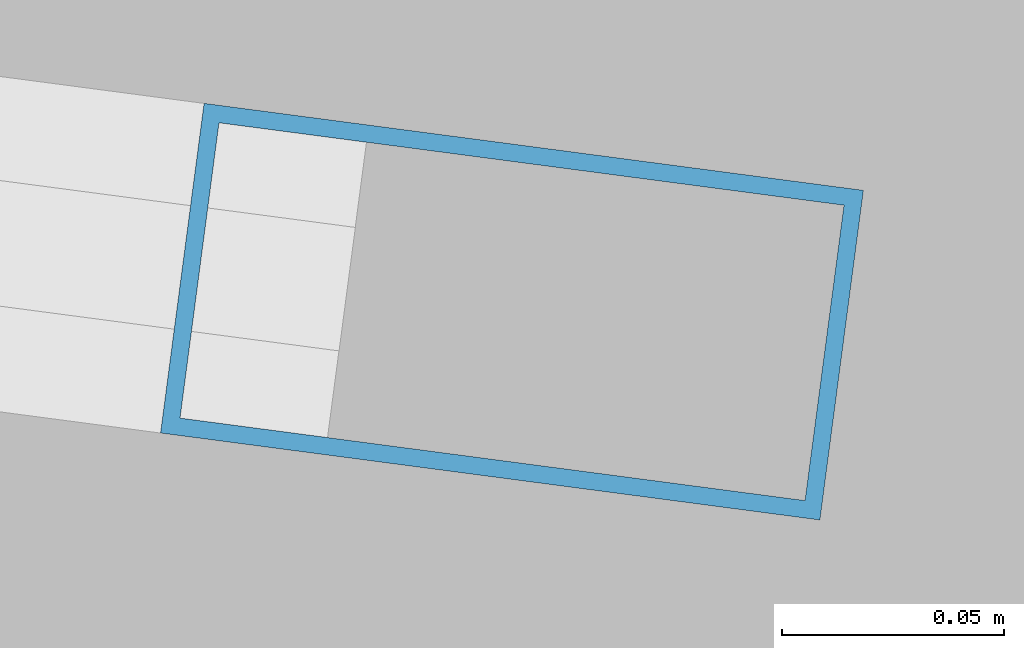
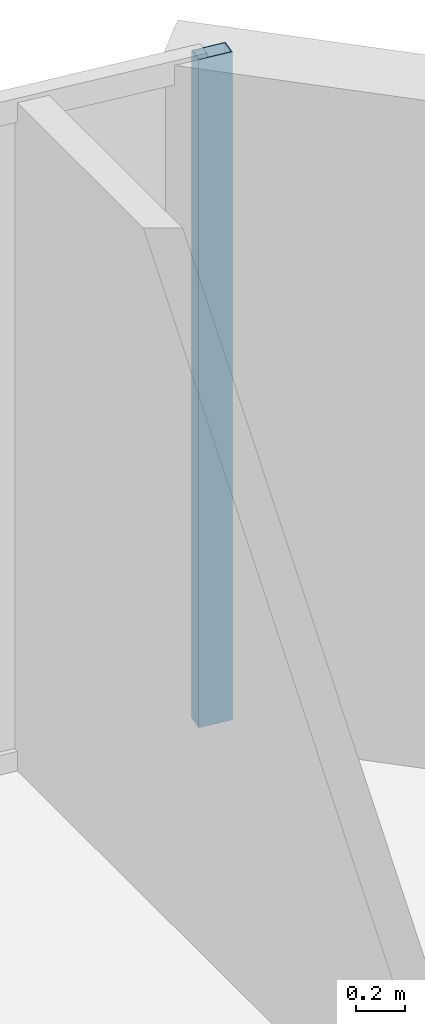
# One storey, part 22 of 30: 1 member, 1 element without a shape of its own.
"""IFC4 building model written with IfcOpenShell, lengths in metres."""

from ifc_helpers import new_model, si_unit, direction, frame, origin, origin_2d, place, context, subcontext, project, spatial, hollow_rectangle, extrude, material, layer, layer_set, material_profile, profile_set, type_object, element, aggregate, save


model = new_model("IFC4")

# Units and contexts
model_context = context("Model", 3, precision=1e-05, world=origin(), true_north=direction((0.0, 1.0)))
body_context = subcontext(model_context, "Body", "Model", "MODEL_VIEW")
ifc_project = project(units=[si_unit("LENGTHUNIT", "METRE"), si_unit("AREAUNIT", "SQUARE_METRE"), si_unit("VOLUMEUNIT", "CUBIC_METRE"), si_unit("PLANEANGLEUNIT", "RADIAN"), si_unit("MASSUNIT", "GRAM", prefix="KILO")], contexts=[model_context])

# Site, building, storey
site_placement = place(None, origin())
site = spatial("IfcSite", under=ifc_project, at=site_placement, CompositionType="ELEMENT")
building_placement = place(site_placement, origin())
building = spatial("IfcBuilding", under=site, at=building_placement, Name="Kazevale Care Tower and Concert Hall", CompositionType="ELEMENT")
storey_placement = place(building_placement, frame((0.0, 0.0, 131.39990234375)))
storey = spatial("IfcBuildingStorey", under=building, at=storey_placement, Name="L34", CompositionType="ELEMENT", Elevation=131.39990234375)

# Curtain wall, member
ifc_material_1 = material(Name="Aluminium 6063-T6 and Low-E Glass", Category="aluminium")
ifc_layer = layer(ifc_material_1, 0.179931640625)
ifc_layer_set = layer_set([ifc_layer], Name="Aluminium 6063-T6 and Low-E Glass")
curtain_wall_type = type_object("IfcCurtainWallType", Name="Convex Recessed Sunroom Curtain Wall CW-3", PredefinedType="NOTDEFINED", material=ifc_layer_set)
curtain_wall_placement = place(storey_placement, origin())
curtain_wall = element("IfcCurtainWall", 1, at=curtain_wall_placement, inside=storey, type_object=curtain_wall_type, Name="cw:L34:f16", PredefinedType="NOTDEFINED")
ifc_material_2 = material(Name="Aluminium 6063-T6", Category="aluminium")
ifc_material_profile = material_profile(ifc_material_2, hollow_rectangle(XDim=0.074951171875, YDim=0.14990234375, WallThickness=0.00390625, at=origin_2d()), Name="ALU75x150x4")
ifc_profile_set = profile_set([ifc_material_profile], Name="Aluminium 6063-T6")
member_type = type_object("IfcMemberType", Name="CW-3 Mullion ALU75x150x4", PredefinedType="MULLION", material=ifc_profile_set)
member_placement = place(storey_placement, frame((61.810791015625, 60.809814453125, 0.0), z_axis=(0.0, 0.0, 1.0), x_axis=(0.130822374277, 0.991405823257, 0.0)))
member = element("IfcMember", 2, at=member_placement, type_object=member_type, Name="CW-3 mullion 2", PredefinedType="MULLION", context=body_context, shape_type="SweptSolid", body=[
    extrude(hollow_rectangle(XDim=0.074951171875, YDim=0.14990234375, WallThickness=0.00390625, at=origin_2d()), origin(), (0.0, 0.0, 1.0), 3.360107421875),
])
aggregate(curtain_wall, [member])

save(model, "model.ifc")
